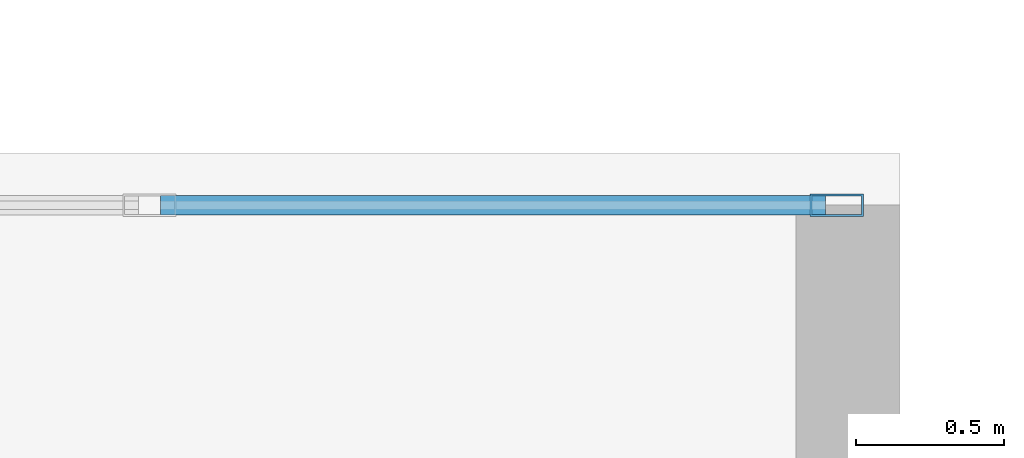
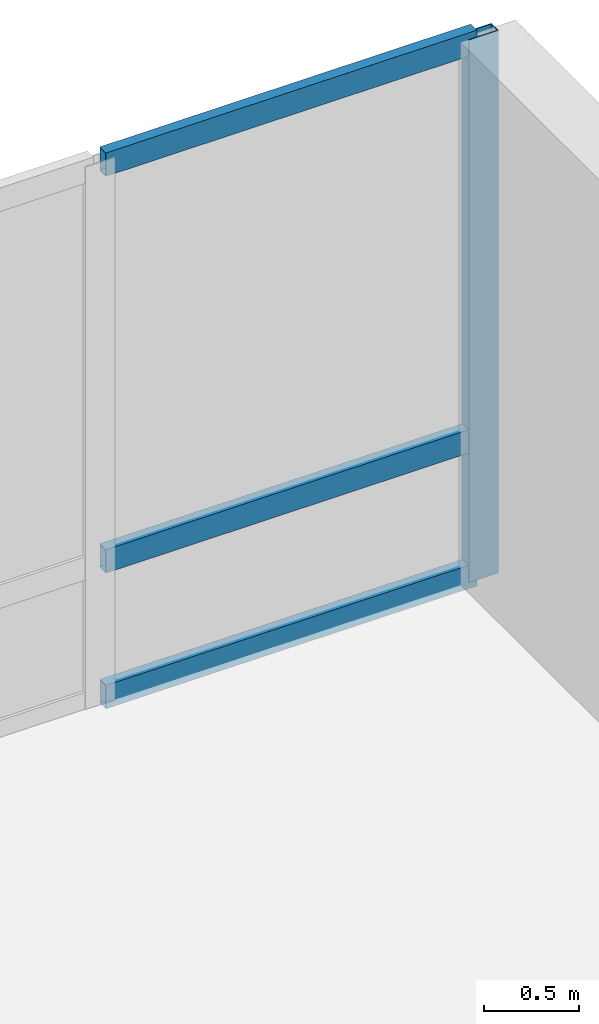
# One storey, part 4 of 16: 4 members, 1 element without a shape of its own.
"""IFC4 building model written with IfcOpenShell, lengths in metres."""

from ifc_helpers import new_model, si_unit, direction, frame, origin, origin_2d, place, context, subcontext, project, spatial, hollow_rectangle, extrude, material, layer, layer_set, material_profile, profile_set, type_object, element, aggregate, save


model = new_model("IFC4")

# Units and contexts
model_context = context("Model", 3, precision=1e-05, world=origin(), true_north=direction((0.0, 1.0)))
body_context = subcontext(model_context, "Body", "Model", "MODEL_VIEW")
ifc_project = project(units=[si_unit("LENGTHUNIT", "METRE"), si_unit("AREAUNIT", "SQUARE_METRE"), si_unit("VOLUMEUNIT", "CUBIC_METRE"), si_unit("PLANEANGLEUNIT", "RADIAN"), si_unit("MASSUNIT", "GRAM", prefix="KILO")], contexts=[model_context])

# Site, building, storey
site_placement = place(None, origin())
site = spatial("IfcSite", under=ifc_project, at=site_placement, CompositionType="ELEMENT")
building_placement = place(site_placement, origin())
building = spatial("IfcBuilding", under=site, at=building_placement, Name="Koriwani Terraces Tower", CompositionType="ELEMENT")
storey_placement = place(building_placement, frame((0.0, 0.0, 267.5)))
storey = spatial("IfcBuildingStorey", under=building, at=storey_placement, Name="L66", CompositionType="ELEMENT", Elevation=267.5)

# Curtain wall, members
ifc_material = material(Name="Anodised Bronze Aluminium", Category="aluminium")
ifc_layer = layer(ifc_material, 0.169921875, Name="Anodised Bronze Aluminium")
ifc_layer_set = layer_set([ifc_layer], Name="Anodised Bronze Aluminium")
curtain_wall_type = type_object("IfcCurtainWallType", Name="CW_RES_ZONE4", PredefinedType="NOTDEFINED", material=ifc_layer_set)
curtain_wall_placement = place(storey_placement, origin())
curtain_wall = element("IfcCurtainWall", 1, at=curtain_wall_placement, inside=storey, type_object=curtain_wall_type, Name="L66 Unitised Curtain Wall (N_TIP) Bay 3", PredefinedType="NOTDEFINED")
ifc_material_profile_1 = material_profile(ifc_material, hollow_rectangle(XDim=0.074951171875, YDim=0.179931640625, WallThickness=0.006103515625, at=origin_2d()), Name="Anodised Bronze Aluminium", Category="LoadBearing")
ifc_profile_set_1 = profile_set([ifc_material_profile_1], Name="Anodised Bronze Aluminium")
member_type_1 = type_object("IfcMemberType", Name="CW_MULLION_180X75", PredefinedType="MULLION", material=ifc_profile_set_1)
member_1_placement = place(storey_placement, frame((30.387451171875, 75.425048828125, 0.0), z_axis=(0.0, 0.0, 1.0), x_axis=(0.0, 1.0, 0.0)))
member_1 = element("IfcMember", 2, at=member_1_placement, type_object=member_type_1, Name="CW-Z4 mullion 3", PredefinedType="MULLION", context=body_context, shape_type="SweptSolid", body=[
    extrude(hollow_rectangle(XDim=0.074951171875, YDim=0.179931640625, WallThickness=0.006103515625, at=origin_2d()), origin(), (0.0, 0.0, 1.0), 3.469970703125),
])
ifc_material_profile_2 = material_profile(ifc_material, hollow_rectangle(XDim=0.06494140625, YDim=0.14990234375, WallThickness=0.0048828125, at=origin_2d()), Name="Anodised Bronze Aluminium", Category="LoadBearing")
ifc_profile_set_2 = profile_set([ifc_material_profile_2], Name="Anodised Bronze Aluminium")
member_type_2 = type_object("IfcMemberType", Name="CW_TRANSOM_150X65", PredefinedType="USERDEFINED", material=ifc_profile_set_2)
member_2_placement = place(storey_placement, frame((28.10498046875, 75.425048828125, 0.032470703125), z_axis=(1.0, 0.0, 0.0), x_axis=(0.0, 1.0, 0.0)))
member_2 = element("IfcMember", 3, at=member_2_placement, type_object=member_type_2, Name="CW-Z4 transom 2.1", ObjectType="TRANSOM", PredefinedType="USERDEFINED", context=body_context, shape_type="SweptSolid", body=[
    extrude(hollow_rectangle(XDim=0.06494140625, YDim=0.14990234375, WallThickness=0.0048828125, at=origin_2d()), origin(), (0.0, 0.0, 1.0), 2.2451171875),
])
member_3_placement = place(storey_placement, frame((28.10498046875, 75.425048828125, 0.89990234375), z_axis=(1.0, 0.0, 0.0), x_axis=(0.0, 1.0, 0.0)))
member_3 = element("IfcMember", 4, at=member_3_placement, type_object=member_type_2, Name="CW-Z4 transom 2.2", ObjectType="TRANSOM", PredefinedType="USERDEFINED", context=body_context, shape_type="SweptSolid", body=[
    extrude(hollow_rectangle(XDim=0.06494140625, YDim=0.14990234375, WallThickness=0.0048828125, at=origin_2d()), origin(), (0.0, 0.0, 1.0), 2.2451171875),
])
member_4_placement = place(storey_placement, frame((28.10498046875, 75.425048828125, 3.4375), z_axis=(1.0, 0.0, 0.0), x_axis=(0.0, 1.0, 0.0)))
member_4 = element("IfcMember", 5, at=member_4_placement, type_object=member_type_2, Name="CW-Z4 transom 2.3", ObjectType="TRANSOM", PredefinedType="USERDEFINED", context=body_context, shape_type="SweptSolid", body=[
    extrude(hollow_rectangle(XDim=0.06494140625, YDim=0.14990234375, WallThickness=0.0048828125, at=origin_2d()), origin(), (0.0, 0.0, 1.0), 2.2451171875),
])
aggregate(curtain_wall, [member_1, member_2, member_3, member_4])

save(model, "model.ifc")
